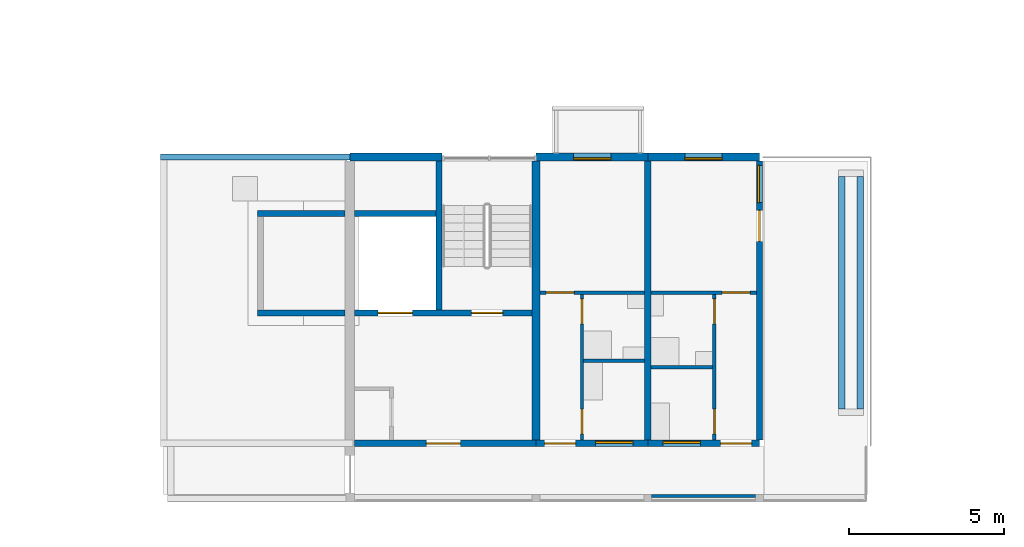
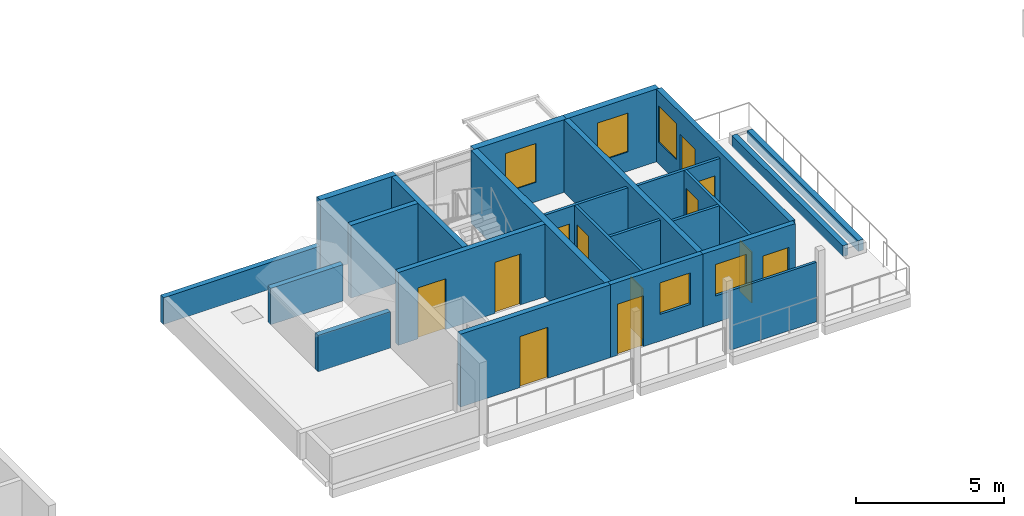
# One storey, part 19 of 41: 24 walls, 12 doors, 5 windows, 17 openings.
"""IFC4 building model written with IfcOpenShell, lengths in metres."""

from ifc_helpers import new_model, si_unit, direction, frame, frame_2d, origin, place, context, subcontext, project, spatial, rectangle, extrude, material, layer, layer_set, type_object, element, fill, save


model = new_model("IFC4")

# Units and contexts
model_context = context("Model", 3, precision=1e-05, world=origin(), true_north=direction((0.0, 1.0)))
body_context = subcontext(model_context, "Body", "Model", "MODEL_VIEW")
ifc_project = project(units=[si_unit("LENGTHUNIT", "METRE"), si_unit("AREAUNIT", "SQUARE_METRE"), si_unit("VOLUMEUNIT", "CUBIC_METRE"), si_unit("PLANEANGLEUNIT", "RADIAN"), si_unit("MASSUNIT", "GRAM", prefix="KILO")], contexts=[model_context])

# Site, building, storey
site_placement = place(None, origin())
site = spatial("IfcSite", under=ifc_project, at=site_placement, CompositionType="ELEMENT")
building_placement = place(site_placement, origin())
building = spatial("IfcBuilding", under=site, at=building_placement, Name="Ridgestep Commons", CompositionType="ELEMENT")
storey_placement = place(building_placement, frame((0.0, 0.0, 39.0)))
storey = spatial("IfcBuildingStorey", under=building, at=storey_placement, Name="L13", CompositionType="ELEMENT", Elevation=39.0)

# Wall
ifc_material_1 = material(Name="Concrete C30/37", Category="concrete")
ifc_layer_1 = layer(ifc_material_1, 0.25)
ifc_layer_set_1 = layer_set([ifc_layer_1], Name="Core cross wall 250")
wall_type_1 = type_object("IfcWallType", Name="Core cross wall 250", PredefinedType="SHEAR", material=ifc_layer_set_1)
wall_1_placement = place(storey_placement, frame((51.60009765625, 13.75, 0.0), z_axis=(0.0, 0.0, 1.0), x_axis=(0.0, 1.0, 0.0)))
element("IfcWall", 1, at=wall_1_placement, inside=storey, type_object=wall_type_1, Name="Cross wall A-13-0516", PredefinedType="SHEAR", context=body_context, shape_type="SweptSolid", body=[
    extrude(rectangle(XDim=9.0, YDim=0.25, at=frame_2d((4.5, 0.0))), origin(), (0.0, 0.0, 1.0), 3.0),
])

# Wall, opening, door
ifc_material_2 = material(Name="Concrete C30/37", Category="concrete")
ifc_layer_2 = layer(ifc_material_2, 0.199951171875)
ifc_layer_set_2 = layer_set([ifc_layer_2], Name="Core south wall 200")
wall_type_2 = type_object("IfcWallType", Name="Core south wall 200", PredefinedType="SHEAR", material=ifc_layer_set_2)
wall_2_placement = place(storey_placement, frame((45.75, 13.64990234375, 0.0), z_axis=(0.0, 0.0, 1.0), x_axis=(1.0, 0.0, 0.0)))
wall_2 = element("IfcWall", 2, at=wall_2_placement, inside=storey, type_object=wall_type_2, Name="Core south wall A3C L13", PredefinedType="SHEAR", context=body_context, shape_type="SweptSolid", body=[
    extrude(rectangle(XDim=5.85009765625, YDim=0.199951171875, at=frame_2d((2.925048828125, 0.0))), origin(), (0.0, 0.0, 1.0), 3.0),
])
opening_1_placement = place(wall_2_placement, frame((2.3125, 0.0, 0.0)))
opening_1 = element("IfcOpeningElement", 3, at=opening_1_placement, cuts=wall_2, Name="Opening A3C/13/1", PredefinedType="OPENING", context=body_context, shape_type="SweptSolid", body=[
    extrude(rectangle(XDim=1.10009765625, YDim=2.10009765625, at=frame_2d((0.550048828125, 1.050048828125))), frame((0.0, 0.10986328125, 0.0), z_axis=(0.0, -1.0, 0.0), x_axis=(1.0, 0.0, 0.0)), (0.0, 0.0, 1.0), 0.219970703125),
])
ifc_material_3 = material(Name="Steel fire door", Category="steel")
door_type_1 = type_object("IfcDoorType", Name="Lobby door 1100 x 2100 FD60", OperationType="NOTDEFINED", PredefinedType="DOOR", material=ifc_material_3)
door_1_placement = place(opening_1_placement, origin())
door_1 = element("IfcDoor", 4, at=door_1_placement, inside=storey, type_object=door_type_1, Name="Lobby door A3C/13/1", OperationType="SINGLE_SWING_LEFT", OverallHeight=2.10009765625, OverallWidth=1.10009765625, PredefinedType="DOOR", context=body_context, shape_type="SweptSolid", body=[
    extrude(rectangle(XDim=1.10009765625, YDim=2.10009765625, at=frame_2d((0.550048828125, 1.050048828125))), frame((0.0, 0.02490234375, 0.0), z_axis=(0.0, -1.0, 0.0), x_axis=(1.0, 0.0, 0.0)), (0.0, 0.0, 1.0), 0.050048828125),
])
fill(opening_1, door_1)

# Wall, openings, doors
ifc_material_4 = material(Name="Concrete C30/37", Category="concrete")
ifc_layer_3 = layer(ifc_material_4, 0.199951171875)
ifc_layer_set_3 = layer_set([ifc_layer_3], Name="Core wall 200")
wall_type_3 = type_object("IfcWallType", Name="Core wall 200", PredefinedType="SHEAR", material=ifc_layer_set_3)
wall_3_placement = place(storey_placement, frame((45.75, 17.85009765625, 0.0), z_axis=(0.0, 0.0, 1.0), x_axis=(1.0, 0.0, 0.0)))
wall_3 = element("IfcWall", 5, at=wall_3_placement, inside=storey, type_object=wall_type_3, Name="Core lobby wall A3C L13", PredefinedType="SHEAR", context=body_context, shape_type="SweptSolid", body=[
    extrude(rectangle(XDim=5.72509765625, YDim=0.199951171875, at=frame_2d((2.862548828125, 0.0))), origin(), (0.0, 0.0, 1.0), 3.0),
])
opening_2_placement = place(wall_3_placement, frame((3.77490234375, 0.0, 0.0)))
opening_2 = element("IfcOpeningElement", 6, at=opening_2_placement, cuts=wall_3, Name="Opening A3C/13/2", PredefinedType="OPENING", context=body_context, shape_type="SweptSolid", body=[
    extrude(rectangle(XDim=1.0, YDim=2.10009765625, at=frame_2d((0.5, 1.050048828125))), frame((0.0, 0.10986328125, 0.0), z_axis=(0.0, -1.0, 0.0), x_axis=(1.0, 0.0, 0.0)), (0.0, 0.0, 1.0), 0.219970703125),
])
opening_3_placement = place(wall_3_placement, frame((0.762451171875, 0.0, 0.0)))
opening_3 = element("IfcOpeningElement", 7, at=opening_3_placement, cuts=wall_3, Name="Opening A3C/13/3", PredefinedType="OPENING", context=body_context, shape_type="SweptSolid", body=[
    extrude(rectangle(XDim=1.10009765625, YDim=2.10009765625, at=frame_2d((0.550048828125, 1.050048828125))), frame((0.0, 0.10986328125, 0.0), z_axis=(0.0, -1.0, 0.0), x_axis=(1.0, 0.0, 0.0)), (0.0, 0.0, 1.0), 0.219970703125),
])
ifc_material_5 = material(Name="Stainless steel", Category="steel")
door_type_2 = type_object("IfcDoorType", Name="Lift landing door 1100 x 2100 FD60", OperationType="DOUBLE_DOOR_SLIDING", PredefinedType="DOOR", material=ifc_material_5)
door_2_placement = place(opening_3_placement, origin())
door_2 = element("IfcDoor", 8, at=door_2_placement, inside=storey, type_object=door_type_2, Name="Landing door LD A3C L13", OperationType="DOUBLE_DOOR_SLIDING", OverallHeight=2.10009765625, OverallWidth=1.10009765625, PredefinedType="DOOR", context=body_context, shape_type="SweptSolid", body=[
    extrude(rectangle(XDim=1.10009765625, YDim=2.10009765625, at=frame_2d((0.550048828125, 1.050048828125))), frame((0.0, 0.02490234375, 0.0), z_axis=(0.0, -1.0, 0.0), x_axis=(1.0, 0.0, 0.0)), (0.0, 0.0, 1.0), 0.050048828125),
])
fill(opening_3, door_2)
ifc_material_6 = material(Name="Steel fire door", Category="steel")
door_type_3 = type_object("IfcDoorType", Name="Stair door 1000 x 2100 FD60", OperationType="NOTDEFINED", PredefinedType="DOOR", material=ifc_material_6)
door_3_placement = place(opening_2_placement, origin())
door_3 = element("IfcDoor", 9, at=door_3_placement, inside=storey, type_object=door_type_3, Name="Stair door A3C/13/2", OperationType="SINGLE_SWING_RIGHT", OverallHeight=2.10009765625, OverallWidth=1.0, PredefinedType="DOOR", context=body_context, shape_type="SweptSolid", body=[
    extrude(rectangle(XDim=1.0, YDim=2.10009765625, at=frame_2d((0.5, 1.050048828125))), frame((0.0, 0.02490234375, 0.0), z_axis=(0.0, -1.0, 0.0), x_axis=(1.0, 0.0, 0.0)), (0.0, 0.0, 1.0), 0.050048828125),
])
fill(opening_2, door_3)

# Walls
wall_4_placement = place(storey_placement, frame((48.47509765625, 17.949951171875, 0.0), z_axis=(0.0, 0.0, 1.0), x_axis=(0.0, 1.0, 0.0)))
element("IfcWall", 10, at=wall_4_placement, inside=storey, type_object=wall_type_3, Name="Core stair wall A3C L13", PredefinedType="SHEAR", context=body_context, shape_type="SweptSolid", body=[
    extrude(rectangle(XDim=4.800048828125, YDim=0.199951171875, at=frame_2d((2.39990234375, 0.0))), origin(), (0.0, 0.0, 1.0), 3.0),
])
wall_5_placement = place(storey_placement, frame((45.75, 21.050048828125, 0.0), z_axis=(0.0, 0.0, 1.0), x_axis=(1.0, 0.0, 0.0)))
element("IfcWall", 11, at=wall_5_placement, inside=storey, type_object=wall_type_3, Name="Core duct wall A3C L13", PredefinedType="SHEAR", context=body_context, shape_type="SweptSolid", body=[
    extrude(rectangle(XDim=2.625, YDim=0.199951171875, at=frame_2d((1.3125, 0.0))), origin(), (0.0, 0.0, 1.0), 3.0),
])
ifc_material_7 = material(Name="Precast concrete C40/50", Category="concrete")
ifc_layer_4 = layer(ifc_material_7, 0.199951171875)
ifc_layer_set_4 = layer_set([ifc_layer_4], Name="Cross wall 200")
wall_type_4 = type_object("IfcWallType", Name="Cross wall 200", PredefinedType="SHEAR", material=ifc_layer_set_4)
wall_6_placement = place(storey_placement, frame((55.199951171875, 13.75, 0.0), z_axis=(0.0, 0.0, 1.0), x_axis=(0.0, 1.0, 0.0)))
element("IfcWall", 12, at=wall_6_placement, inside=storey, type_object=wall_type_4, Name="Cross wall A-13-0552", PredefinedType="SHEAR", context=body_context, shape_type="SweptSolid", body=[
    extrude(rectangle(XDim=9.0, YDim=0.199951171875, at=frame_2d((4.5, 0.0))), origin(), (0.0, 0.0, 1.0), 3.0),
])

# Wall, openings, window, door
ifc_material_8 = material(Name="Precast concrete C40/50", Category="concrete")
ifc_layer_5 = layer(ifc_material_8, 0.199951171875)
ifc_layer_set_5 = layer_set([ifc_layer_5], Name="Exposed cross wall 200")
wall_type_5 = type_object("IfcWallType", Name="Exposed cross wall 200", PredefinedType="SHEAR", material=ifc_layer_set_5)
wall_7_placement = place(storey_placement, frame((58.800048828125, 13.75, 0.0), z_axis=(0.0, 0.0, 1.0), x_axis=(0.0, 1.0, 0.0)))
wall_7 = element("IfcWall", 13, at=wall_7_placement, inside=storey, type_object=wall_type_5, Name="Cross wall A-13-0588", PredefinedType="SHEAR", context=body_context, shape_type="SweptSolid", body=[
    extrude(rectangle(XDim=9.0, YDim=0.199951171875, at=frame_2d((4.5, 0.0))), origin(), (0.0, 0.0, 1.0), 3.0),
])
opening_4_placement = place(wall_7_placement, frame((7.652587890625, 0.0, 0.89990234375)))
opening_4 = element("IfcOpeningElement", 14, at=opening_4_placement, cuts=wall_7, Name="Opening W10", PredefinedType="OPENING", context=body_context, shape_type="SweptSolid", body=[
    extrude(rectangle(XDim=1.199951171875, YDim=1.5, at=frame_2d((0.60009765625, 0.75))), frame((0.0, 0.10986328125, 0.0), z_axis=(0.0, -1.0, 0.0), x_axis=(1.0, 0.0, 0.0)), (0.0, 0.0, 1.0), 0.219970703125),
])
opening_5_placement = place(wall_7_placement, frame((6.405029296875, 0.0, 0.0)))
opening_5 = element("IfcOpeningElement", 15, at=opening_5_placement, cuts=wall_7, Name="Opening A3-13a/5", PredefinedType="OPENING", context=body_context, shape_type="SweptSolid", body=[
    extrude(rectangle(XDim=1.0, YDim=2.10009765625, at=frame_2d((0.5, 1.050048828125))), frame((0.0, 0.10986328125, 0.0), z_axis=(0.0, -1.0, 0.0), x_axis=(1.0, 0.0, 0.0)), (0.0, 0.0, 1.0), 0.219970703125),
])
ifc_material_9 = material(Name="Aluminium 6063-T6 and glass", Category="aluminium")
window_type_1 = type_object("IfcWindowType", Name="Flat window 1200 x 1500", PartitioningType="SINGLE_PANEL", PredefinedType="WINDOW", material=ifc_material_9)
window_1_placement = place(opening_4_placement, origin())
window_1 = element("IfcWindow", 16, at=window_1_placement, inside=storey, type_object=window_type_1, Name="Window A3-13a 3", OverallHeight=1.5, OverallWidth=1.199951171875, PartitioningType="SINGLE_PANEL", PredefinedType="WINDOW", context=body_context, shape_type="SweptSolid", body=[
    extrude(rectangle(XDim=1.199951171875, YDim=1.5, at=frame_2d((0.60009765625, 0.75))), frame((0.0, 0.06005859375, 0.0), z_axis=(0.0, -1.0, 0.0), x_axis=(1.0, 0.0, 0.0)), (0.0, 0.0, 1.0), 0.06005859375),
])
fill(opening_4, window_1)
ifc_material_10 = material(Name="Aluminium and glass", Category="aluminium")
door_type_4 = type_object("IfcDoorType", Name="Terrace door 1000 x 2100", OperationType="NOTDEFINED", PredefinedType="DOOR", material=ifc_material_10)
door_4_placement = place(opening_5_placement, origin())
door_4 = element("IfcDoor", 17, at=door_4_placement, inside=storey, type_object=door_type_4, Name="Terrace door A3-13a/5", OperationType="SINGLE_SWING_LEFT", OverallHeight=2.10009765625, OverallWidth=1.0, PredefinedType="DOOR", context=body_context, shape_type="SweptSolid", body=[
    extrude(rectangle(XDim=1.0, YDim=2.10009765625, at=frame_2d((0.5, 1.050048828125))), frame((0.0, 0.02490234375, 0.0), z_axis=(0.0, -1.0, 0.0), x_axis=(1.0, 0.0, 0.0)), (0.0, 0.0, 1.0), 0.050048828125),
])
fill(opening_5, door_4)

# Walls
ifc_material_11 = material(Name="Concrete C30/37", Category="concrete")
ifc_layer_6 = layer(ifc_material_11, 0.199951171875)
ifc_layer_set_6 = layer_set([ifc_layer_6], Name="Lift overrun wall 200")
wall_type_6 = type_object("IfcWallType", Name="Lift overrun wall 200", PredefinedType="SHEAR", material=ifc_layer_set_6)
for number, where, z_axis, x_axis, name in (
    (18, (42.625, 17.85009765625, 0.0), (0.0, 0.0, 1.0), (1.0, 0.0, 0.0), "Lift overrun wall A2C"),
    (19, (42.625, 21.050048828125, 0.0), (0.0, 0.0, 1.0), (1.0, 0.0, 0.0), "Lift overrun wall A2C"),
):
    element("IfcWall", number, at=place(storey_placement, frame(where, z_axis=z_axis, x_axis=x_axis)), inside=storey, type_object=wall_type_6, Name=name, PredefinedType="SHEAR", context=body_context, shape_type="SweptSolid", body=[
        extrude(rectangle(XDim=2.824951171875, YDim=0.199951171875, at=frame_2d((1.41259765625, 0.0))), origin(), (0.0, 0.0, 1.0), 1.5),
    ])
ifc_material_12 = material(Name="Precast concrete C40/50", Category="concrete")
ifc_layer_7 = layer(ifc_material_12, 0.25)
ifc_layer_set_7 = layer_set([ifc_layer_7], Name="North facade panel 250")
wall_type_7 = type_object("IfcWallType", Name="North facade panel 250", PredefinedType="SOLIDWALL", material=ifc_layer_set_7)
wall_8_placement = place(storey_placement, frame((45.60009765625, 22.875, 0.0), z_axis=(0.0, 0.0, 1.0), x_axis=(1.0, 0.0, 0.0)))
element("IfcWall", 20, at=wall_8_placement, inside=storey, type_object=wall_type_7, Name="North panel A3C L13", PredefinedType="SOLIDWALL", context=body_context, shape_type="SweptSolid", body=[
    extrude(rectangle(XDim=2.974853515625, YDim=0.25, at=frame_2d((1.4873046875, 0.0))), origin(), (0.0, 0.0, 1.0), 3.0),
])

# Wall, opening, window
wall_9_placement = place(storey_placement, frame((51.60009765625, 22.875, 0.0), z_axis=(0.0, 0.0, 1.0), x_axis=(1.0, 0.0, 0.0)))
wall_9 = element("IfcWall", 21, at=wall_9_placement, inside=storey, type_object=wall_type_7, Name="North panel A3T3 L13", PredefinedType="SOLIDWALL", context=body_context, shape_type="SweptSolid", body=[
    extrude(rectangle(XDim=3.599853515625, YDim=0.25, at=frame_2d((1.7998046875, 0.0))), origin(), (0.0, 0.0, 1.0), 3.0),
])
opening_6_placement = place(wall_9_placement, frame((1.21240234375, 0.0, 0.800048828125)))
opening_6 = element("IfcOpeningElement", 22, at=opening_6_placement, cuts=wall_9, Name="Opening W11", PredefinedType="OPENING", context=body_context, shape_type="SweptSolid", body=[
    extrude(rectangle(XDim=1.199951171875, YDim=1.60009765625, at=frame_2d((0.60009765625, 0.800048828125))), frame((0.0, 0.135009765625, 0.0), z_axis=(0.0, -1.0, 0.0), x_axis=(1.0, 0.0, 0.0)), (0.0, 0.0, 1.0), 0.27001953125),
])
ifc_material_13 = material(Name="Aluminium 6063-T6 and glass", Category="aluminium")
window_type_2 = type_object("IfcWindowType", Name="Flat window 1200 x 1600", PartitioningType="SINGLE_PANEL", PredefinedType="WINDOW", material=ifc_material_13)
window_2_placement = place(opening_6_placement, origin())
window_2 = element("IfcWindow", 23, at=window_2_placement, inside=storey, type_object=window_type_2, Name="Window A3-13b 2", OverallHeight=1.60009765625, OverallWidth=1.199951171875, PartitioningType="SINGLE_PANEL", PredefinedType="WINDOW", context=body_context, shape_type="SweptSolid", body=[
    extrude(rectangle(XDim=1.199951171875, YDim=1.60009765625, at=frame_2d((0.60009765625, 0.800048828125))), frame((0.0, -0.02490234375, 0.0), z_axis=(0.0, -1.0, 0.0), x_axis=(1.0, 0.0, 0.0)), (0.0, 0.0, 1.0), 0.06005859375),
])
fill(opening_6, window_2)

wall_10_placement = place(storey_placement, frame((55.199951171875, 22.875, 0.0), z_axis=(0.0, 0.0, 1.0), x_axis=(1.0, 0.0, 0.0)))
wall_10 = element("IfcWall", 24, at=wall_10_placement, inside=storey, type_object=wall_type_7, Name="North panel A3T2 L13", PredefinedType="SOLIDWALL", context=body_context, shape_type="SweptSolid", body=[
    extrude(rectangle(XDim=3.60009765625, YDim=0.25, at=frame_2d((1.800048828125, 0.0))), origin(), (0.0, 0.0, 1.0), 3.0),
])
opening_7_placement = place(wall_10_placement, frame((1.199951171875, 0.0, 0.800048828125)))
opening_7 = element("IfcOpeningElement", 25, at=opening_7_placement, cuts=wall_10, Name="Opening W11", PredefinedType="OPENING", context=body_context, shape_type="SweptSolid", body=[
    extrude(rectangle(XDim=1.199951171875, YDim=1.60009765625, at=frame_2d((0.60009765625, 0.800048828125))), frame((0.0, 0.135009765625, 0.0), z_axis=(0.0, -1.0, 0.0), x_axis=(1.0, 0.0, 0.0)), (0.0, 0.0, 1.0), 0.27001953125),
])
window_3_placement = place(opening_7_placement, origin())
window_3 = element("IfcWindow", 26, at=window_3_placement, inside=storey, type_object=window_type_2, Name="Window A3-13a 2", OverallHeight=1.60009765625, OverallWidth=1.199951171875, PartitioningType="SINGLE_PANEL", PredefinedType="WINDOW", context=body_context, shape_type="SweptSolid", body=[
    extrude(rectangle(XDim=1.199951171875, YDim=1.60009765625, at=frame_2d((0.60009765625, 0.800048828125))), frame((0.0, -0.02490234375, 0.0), z_axis=(0.0, -1.0, 0.0), x_axis=(1.0, 0.0, 0.0)), (0.0, 0.0, 1.0), 0.06005859375),
])
fill(opening_7, window_3)

# Walls
ifc_material_14 = material(Name="Precast concrete C40/50", Category="concrete")
ifc_layer_8 = layer(ifc_material_14, 0.199951171875)
ifc_layer_set_8 = layer_set([ifc_layer_8], Name="Parapet wall 200")
wall_type_8 = type_object("IfcWallType", Name="Parapet wall 200", PredefinedType="PARAPET", material=ifc_layer_set_8)
wall_11_placement = place(storey_placement, frame((39.5, 22.875, 0.0), z_axis=(0.0, 0.0, 1.0), x_axis=(1.0, 0.0, 0.0)))
element("IfcWall", 27, at=wall_11_placement, inside=storey, type_object=wall_type_8, Name="Parapet A2C north", PredefinedType="PARAPET", context=body_context, shape_type="SweptSolid", body=[
    extrude(rectangle(XDim=6.199951171875, YDim=0.199951171875, at=frame_2d((3.10009765625, 0.0))), origin(), (0.0, 0.0, 1.0), 1.10009765625),
])
ifc_material_15 = material(Name="Common brick 110 mm", Category="masonry")
ifc_layer_9 = layer(ifc_material_15, 0.110107421875)
ifc_layer_set_9 = layer_set([ifc_layer_9], Name="Partition 110")
wall_type_9 = type_object("IfcWallType", Name="Partition 110", PredefinedType="PARTITIONING", material=ifc_layer_set_9)
wall_12_placement = place(storey_placement, frame((55.300048828125, 16.10498046875, 0.0), z_axis=(0.0, 0.0, 1.0), x_axis=(1.0, 0.0, 0.0)))
element("IfcWall", 28, at=wall_12_placement, inside=storey, type_object=wall_type_9, Name="Partition A3-13a", PredefinedType="PARTITIONING", context=body_context, shape_type="SweptSolid", body=[
    extrude(rectangle(XDim=1.989990234375, YDim=0.110107421875, at=frame_2d((0.9951171875, 0.0))), origin(), (0.0, 0.0, 1.0), 2.75),
])

# Wall, openings, doors
wall_13_placement = place(storey_placement, frame((57.344970703125, 13.75, 0.0), z_axis=(0.0, 0.0, 1.0), x_axis=(0.0, 1.0, 0.0)))
wall_13 = element("IfcWall", 29, at=wall_13_placement, inside=storey, type_object=wall_type_9, Name="Partition A3-13a", PredefinedType="PARTITIONING", context=body_context, shape_type="SweptSolid", body=[
    extrude(rectangle(XDim=4.699951171875, YDim=0.110107421875, at=frame_2d((2.35009765625, 0.0))), origin(), (0.0, 0.0, 1.0), 2.75),
])
opening_8_placement = place(wall_13_placement, frame((0.199951171875, 0.0, 0.0)))
opening_8 = element("IfcOpeningElement", 30, at=opening_8_placement, cuts=wall_13, Name="Opening A3-13a/2", PredefinedType="OPENING", context=body_context, shape_type="SweptSolid", body=[
    extrude(rectangle(XDim=0.800048828125, YDim=2.10009765625, at=frame_2d((0.39990234375, 1.050048828125))), frame((0.0, 0.06494140625, 0.0), z_axis=(0.0, -1.0, 0.0), x_axis=(1.0, 0.0, 0.0)), (0.0, 0.0, 1.0), 0.130126953125),
])
opening_9_placement = place(wall_13_placement, frame((3.75, 0.0, 0.0)))
opening_9 = element("IfcOpeningElement", 31, at=opening_9_placement, cuts=wall_13, Name="Opening A3-13a/3", PredefinedType="OPENING", context=body_context, shape_type="SweptSolid", body=[
    extrude(rectangle(XDim=0.800048828125, YDim=2.10009765625, at=frame_2d((0.39990234375, 1.050048828125))), frame((0.0, 0.06494140625, 0.0), z_axis=(0.0, -1.0, 0.0), x_axis=(1.0, 0.0, 0.0)), (0.0, 0.0, 1.0), 0.130126953125),
])
ifc_material_16 = material(Name="Timber door leaf", Category="wood")
door_type_5 = type_object("IfcDoorType", Name="Internal door 800 x 2100", OperationType="NOTDEFINED", PredefinedType="DOOR", material=ifc_material_16)
door_5_placement = place(opening_8_placement, origin())
door_5 = element("IfcDoor", 32, at=door_5_placement, inside=storey, type_object=door_type_5, Name="Internal door A3-13a/2", OperationType="SINGLE_SWING_LEFT", OverallHeight=2.10009765625, OverallWidth=0.800048828125, PredefinedType="DOOR", context=body_context, shape_type="SweptSolid", body=[
    extrude(rectangle(XDim=0.800048828125, YDim=2.10009765625, at=frame_2d((0.39990234375, 1.050048828125))), frame((0.0, 0.02490234375, 0.0), z_axis=(0.0, -1.0, 0.0), x_axis=(1.0, 0.0, 0.0)), (0.0, 0.0, 1.0), 0.050048828125),
])
fill(opening_8, door_5)
door_6_placement = place(opening_9_placement, origin())
door_6 = element("IfcDoor", 33, at=door_6_placement, inside=storey, type_object=door_type_5, Name="Internal door A3-13a/3", OperationType="SINGLE_SWING_RIGHT", OverallHeight=2.10009765625, OverallWidth=0.800048828125, PredefinedType="DOOR", context=body_context, shape_type="SweptSolid", body=[
    extrude(rectangle(XDim=0.800048828125, YDim=2.10009765625, at=frame_2d((0.39990234375, 1.050048828125))), frame((0.0, 0.02490234375, 0.0), z_axis=(0.0, -1.0, 0.0), x_axis=(1.0, 0.0, 0.0)), (0.0, 0.0, 1.0), 0.050048828125),
])
fill(opening_9, door_6)

# Wall, opening, door
wall_14_placement = place(storey_placement, frame((55.300048828125, 18.5048828125, 0.0), z_axis=(0.0, 0.0, 1.0), x_axis=(1.0, 0.0, 0.0)))
wall_14 = element("IfcWall", 34, at=wall_14_placement, inside=storey, type_object=wall_type_9, Name="Partition A3-13a", PredefinedType="PARTITIONING", context=body_context, shape_type="SweptSolid", body=[
    extrude(rectangle(XDim=3.39990234375, YDim=0.110107421875, at=frame_2d((1.699951171875, 0.0))), origin(), (0.0, 0.0, 1.0), 2.75),
])
opening_10_placement = place(wall_14_placement, frame((2.300048828125, 0.0, 0.0)))
opening_10 = element("IfcOpeningElement", 35, at=opening_10_placement, cuts=wall_14, Name="Opening A3-13a/4", PredefinedType="OPENING", context=body_context, shape_type="SweptSolid", body=[
    extrude(rectangle(XDim=0.89990234375, YDim=2.10009765625, at=frame_2d((0.449951171875, 1.050048828125))), frame((0.0, 0.06494140625, 0.0), z_axis=(0.0, -1.0, 0.0), x_axis=(1.0, 0.0, 0.0)), (0.0, 0.0, 1.0), 0.130126953125),
])
ifc_material_17 = material(Name="Timber door leaf", Category="wood")
door_type_6 = type_object("IfcDoorType", Name="Internal door 900 x 2100", OperationType="NOTDEFINED", PredefinedType="DOOR", material=ifc_material_17)
door_7_placement = place(opening_10_placement, origin())
door_7 = element("IfcDoor", 36, at=door_7_placement, inside=storey, type_object=door_type_6, Name="Internal door A3-13a/4", OperationType="SINGLE_SWING_LEFT", OverallHeight=2.10009765625, OverallWidth=0.89990234375, PredefinedType="DOOR", context=body_context, shape_type="SweptSolid", body=[
    extrude(rectangle(XDim=0.89990234375, YDim=2.10009765625, at=frame_2d((0.449951171875, 1.050048828125))), frame((0.0, 0.02490234375, 0.0), z_axis=(0.0, -1.0, 0.0), x_axis=(1.0, 0.0, 0.0)), (0.0, 0.0, 1.0), 0.050048828125),
])
fill(opening_10, door_7)

# Wall, openings, doors
wall_15_placement = place(storey_placement, frame((53.080078125, 13.75, 0.0), z_axis=(0.0, 0.0, 1.0), x_axis=(0.0, 1.0, 0.0)))
wall_15 = element("IfcWall", 37, at=wall_15_placement, inside=storey, type_object=wall_type_9, Name="Partition A3-13b", PredefinedType="PARTITIONING", context=body_context, shape_type="SweptSolid", body=[
    extrude(rectangle(XDim=4.699951171875, YDim=0.110107421875, at=frame_2d((2.35009765625, 0.0))), origin(), (0.0, 0.0, 1.0), 2.800048828125),
])
opening_11_placement = place(wall_15_placement, frame((0.199951171875, 0.0, 0.0)))
opening_11 = element("IfcOpeningElement", 38, at=opening_11_placement, cuts=wall_15, Name="Opening A3-13b/2", PredefinedType="OPENING", context=body_context, shape_type="SweptSolid", body=[
    extrude(rectangle(XDim=0.800048828125, YDim=2.10009765625, at=frame_2d((0.39990234375, 1.050048828125))), frame((0.0, 0.06494140625, 0.0), z_axis=(0.0, -1.0, 0.0), x_axis=(1.0, 0.0, 0.0)), (0.0, 0.0, 1.0), 0.130126953125),
])
opening_12_placement = place(wall_15_placement, frame((3.75, 0.0, 0.0)))
opening_12 = element("IfcOpeningElement", 39, at=opening_12_placement, cuts=wall_15, Name="Opening A3-13b/3", PredefinedType="OPENING", context=body_context, shape_type="SweptSolid", body=[
    extrude(rectangle(XDim=0.800048828125, YDim=2.10009765625, at=frame_2d((0.39990234375, 1.050048828125))), frame((0.0, 0.06494140625, 0.0), z_axis=(0.0, -1.0, 0.0), x_axis=(1.0, 0.0, 0.0)), (0.0, 0.0, 1.0), 0.130126953125),
])
door_8_placement = place(opening_11_placement, origin())
door_8 = element("IfcDoor", 40, at=door_8_placement, inside=storey, type_object=door_type_5, Name="Internal door A3-13b/2", OperationType="SINGLE_SWING_RIGHT", OverallHeight=2.10009765625, OverallWidth=0.800048828125, PredefinedType="DOOR", context=body_context, shape_type="SweptSolid", body=[
    extrude(rectangle(XDim=0.800048828125, YDim=2.10009765625, at=frame_2d((0.39990234375, 1.050048828125))), frame((0.0, 0.02490234375, 0.0), z_axis=(0.0, -1.0, 0.0), x_axis=(1.0, 0.0, 0.0)), (0.0, 0.0, 1.0), 0.050048828125),
])
fill(opening_11, door_8)
door_9_placement = place(opening_12_placement, origin())
door_9 = element("IfcDoor", 41, at=door_9_placement, inside=storey, type_object=door_type_5, Name="Internal door A3-13b/3", OperationType="SINGLE_SWING_LEFT", OverallHeight=2.10009765625, OverallWidth=0.800048828125, PredefinedType="DOOR", context=body_context, shape_type="SweptSolid", body=[
    extrude(rectangle(XDim=0.800048828125, YDim=2.10009765625, at=frame_2d((0.39990234375, 1.050048828125))), frame((0.0, 0.02490234375, 0.0), z_axis=(0.0, -1.0, 0.0), x_axis=(1.0, 0.0, 0.0)), (0.0, 0.0, 1.0), 0.050048828125),
])
fill(opening_12, door_9)

# Wall
wall_16_placement = place(storey_placement, frame((53.135009765625, 16.304931640625, 0.0), z_axis=(0.0, 0.0, 1.0), x_axis=(1.0, 0.0, 0.0)))
element("IfcWall", 42, at=wall_16_placement, inside=storey, type_object=wall_type_9, Name="Partition A3-13b", PredefinedType="PARTITIONING", context=body_context, shape_type="SweptSolid", body=[
    extrude(rectangle(XDim=1.965087890625, YDim=0.110107421875, at=frame_2d((0.982421875, 0.0))), origin(), (0.0, 0.0, 1.0), 2.800048828125),
])

# Wall, opening, door
wall_17_placement = place(storey_placement, frame((51.72509765625, 18.5048828125, 0.0), z_axis=(0.0, 0.0, 1.0), x_axis=(1.0, 0.0, 0.0)))
wall_17 = element("IfcWall", 43, at=wall_17_placement, inside=storey, type_object=wall_type_9, Name="Partition A3-13b", PredefinedType="PARTITIONING", context=body_context, shape_type="SweptSolid", body=[
    extrude(rectangle(XDim=3.375, YDim=0.110107421875, at=frame_2d((1.6875, 0.0))), origin(), (0.0, 0.0, 1.0), 2.800048828125),
])
opening_13_placement = place(wall_17_placement, frame((0.199951171875, 0.0, 0.0)))
opening_13 = element("IfcOpeningElement", 44, at=opening_13_placement, cuts=wall_17, Name="Opening A3-13b/4", PredefinedType="OPENING", context=body_context, shape_type="SweptSolid", body=[
    extrude(rectangle(XDim=0.89990234375, YDim=2.10009765625, at=frame_2d((0.449951171875, 1.050048828125))), frame((0.0, 0.06494140625, 0.0), z_axis=(0.0, -1.0, 0.0), x_axis=(1.0, 0.0, 0.0)), (0.0, 0.0, 1.0), 0.130126953125),
])
door_10_placement = place(opening_13_placement, origin())
door_10 = element("IfcDoor", 45, at=door_10_placement, inside=storey, type_object=door_type_6, Name="Internal door A3-13b/4", OperationType="SINGLE_SWING_LEFT", OverallHeight=2.10009765625, OverallWidth=0.89990234375, PredefinedType="DOOR", context=body_context, shape_type="SweptSolid", body=[
    extrude(rectangle(XDim=0.89990234375, YDim=2.10009765625, at=frame_2d((0.449951171875, 1.050048828125))), frame((0.0, 0.02490234375, 0.0), z_axis=(0.0, -1.0, 0.0), x_axis=(1.0, 0.0, 0.0)), (0.0, 0.0, 1.0), 0.050048828125),
])
fill(opening_13, door_10)

# Walls
ifc_material_18 = material(Name="Precast concrete C30/37", Category="concrete")
ifc_layer_10 = layer(ifc_material_18, 0.10009765625)
ifc_layer_set_10 = layer_set([ifc_layer_10], Name="Perforated gallery screen 3350 x 2450 x 100")
wall_type_10 = type_object("IfcWallType", Name="Perforated gallery screen 3350 x 2450 x 100", PredefinedType="SOLIDWALL", material=ifc_layer_set_10)
wall_18_placement = place(storey_placement, frame((55.324951171875, 11.949951171875, 0.0), z_axis=(0.0, 0.0, 1.0), x_axis=(1.0, 0.0, 0.0)))
element("IfcWall", 46, at=wall_18_placement, inside=storey, type_object=wall_type_10, Name="Gallery screen A3T2 13", PredefinedType="SOLIDWALL", context=body_context, shape_type="SweptSolid", body=[
    extrude(rectangle(XDim=3.35009765625, YDim=0.10009765625, at=frame_2d((1.675048828125, 0.0))), origin(), (0.0, 0.0, 1.0), 2.449951171875),
])
ifc_material_19 = material(Name="Facing brick", Category="masonry")
ifc_layer_11 = layer(ifc_material_19, 0.199951171875)
ifc_layer_set_11 = layer_set([ifc_layer_11], Name="Planter wall 200")
wall_type_11 = type_object("IfcWallType", Name="Planter wall 200", PredefinedType="SOLIDWALL", material=ifc_layer_set_11)
for number, where, z_axis, x_axis, name in (
    (47, (61.449951171875, 14.75, 0.010009765625), (0.0, 0.0, 1.0), (0.0, 1.0, 0.0), "Planter wall A3R1W"),
    (48, (62.050048828125, 14.75, 0.010009765625), (0.0, 0.0, 1.0), (0.0, 1.0, 0.0), "Planter wall A3R1E"),
):
    element("IfcWall", number, at=place(storey_placement, frame(where, z_axis=z_axis, x_axis=x_axis)), inside=storey, type_object=wall_type_11, Name=name, PredefinedType="SOLIDWALL", context=body_context, shape_type="SweptSolid", body=[
        extrude(rectangle(XDim=7.5, YDim=0.199951171875, at=frame_2d((3.75, 0.0))), origin(), (0.0, 0.0, 1.0), 0.449951171875),
    ])

# Wall, openings, door, window
ifc_material_20 = material(Name="Precast concrete C40/50", Category="concrete")
ifc_layer_12 = layer(ifc_material_20, 0.199951171875)
ifc_layer_set_12 = layer_set([ifc_layer_12], Name="South facade panel 200")
wall_type_12 = type_object("IfcWallType", Name="South facade panel 200", PredefinedType="SOLIDWALL", material=ifc_layer_set_12)
wall_19_placement = place(storey_placement, frame((51.60009765625, 13.64990234375, 0.0), z_axis=(0.0, 0.0, 1.0), x_axis=(1.0, 0.0, 0.0)))
wall_19 = element("IfcWall", 49, at=wall_19_placement, inside=storey, type_object=wall_type_12, Name="South panel A3T3 L13", PredefinedType="SOLIDWALL", context=body_context, shape_type="SweptSolid", body=[
    extrude(rectangle(XDim=3.599853515625, YDim=0.199951171875, at=frame_2d((1.7998046875, 0.0))), origin(), (0.0, 0.0, 1.0), 3.0),
])
opening_14_placement = place(wall_19_placement, frame((1.91748046875, 0.0, 1.10009765625)))
opening_14 = element("IfcOpeningElement", 50, at=opening_14_placement, cuts=wall_19, Name="Opening W08", PredefinedType="OPENING", context=body_context, shape_type="SweptSolid", body=[
    extrude(rectangle(XDim=1.199951171875, YDim=1.300048828125, at=frame_2d((0.60009765625, 0.64990234375))), frame((0.0, 0.10986328125, 0.0), z_axis=(0.0, -1.0, 0.0), x_axis=(1.0, 0.0, 0.0)), (0.0, 0.0, 1.0), 0.219970703125),
])
opening_15_placement = place(wall_19_placement, frame((0.27490234375, 0.0, 0.0)))
opening_15 = element("IfcOpeningElement", 51, at=opening_15_placement, cuts=wall_19, Name="Opening A3-13b/1", PredefinedType="OPENING", context=body_context, shape_type="SweptSolid", body=[
    extrude(rectangle(XDim=1.0, YDim=2.10009765625, at=frame_2d((0.5, 1.050048828125))), frame((0.0, 0.10986328125, 0.0), z_axis=(0.0, -1.0, 0.0), x_axis=(1.0, 0.0, 0.0)), (0.0, 0.0, 1.0), 0.219970703125),
])
ifc_material_21 = material(Name="Timber door leaf", Category="wood")
door_type_7 = type_object("IfcDoorType", Name="Flat entrance door 1000 x 2100 FD30S", OperationType="NOTDEFINED", PredefinedType="DOOR", material=ifc_material_21)
door_11_placement = place(opening_15_placement, origin())
door_11 = element("IfcDoor", 52, at=door_11_placement, inside=storey, type_object=door_type_7, Name="Flat entrance door A3-13b/1", OperationType="SINGLE_SWING_LEFT", OverallHeight=2.10009765625, OverallWidth=1.0, PredefinedType="DOOR", context=body_context, shape_type="SweptSolid", body=[
    extrude(rectangle(XDim=1.0, YDim=2.10009765625, at=frame_2d((0.5, 1.050048828125))), frame((0.0, 0.02490234375, 0.0), z_axis=(0.0, -1.0, 0.0), x_axis=(1.0, 0.0, 0.0)), (0.0, 0.0, 1.0), 0.050048828125),
])
fill(opening_15, door_11)
ifc_material_22 = material(Name="Aluminium 6063-T6 and glass", Category="aluminium")
window_type_3 = type_object("IfcWindowType", Name="Flat window 1200 x 1300", PartitioningType="SINGLE_PANEL", PredefinedType="WINDOW", material=ifc_material_22)
window_4_placement = place(opening_14_placement, origin())
window_4 = element("IfcWindow", 53, at=window_4_placement, inside=storey, type_object=window_type_3, Name="Window A3-13b 1", OverallHeight=1.300048828125, OverallWidth=1.199951171875, PartitioningType="SINGLE_PANEL", PredefinedType="WINDOW", context=body_context, shape_type="SweptSolid", body=[
    extrude(rectangle(XDim=1.199951171875, YDim=1.300048828125, at=frame_2d((0.60009765625, 0.64990234375))), frame((0.0, 0.06005859375, 0.0), z_axis=(0.0, -1.0, 0.0), x_axis=(1.0, 0.0, 0.0)), (0.0, 0.0, 1.0), 0.06005859375),
])
fill(opening_14, window_4)

wall_20_placement = place(storey_placement, frame((55.199951171875, 13.64990234375, 0.0), z_axis=(0.0, 0.0, 1.0), x_axis=(1.0, 0.0, 0.0)))
wall_20 = element("IfcWall", 54, at=wall_20_placement, inside=storey, type_object=wall_type_12, Name="South panel A3T2 L13", PredefinedType="SOLIDWALL", context=body_context, shape_type="SweptSolid", body=[
    extrude(rectangle(XDim=3.60009765625, YDim=0.199951171875, at=frame_2d((1.800048828125, 0.0))), origin(), (0.0, 0.0, 1.0), 3.0),
])
opening_16_placement = place(wall_20_placement, frame((0.4951171875, 0.0, 1.10009765625)))
opening_16 = element("IfcOpeningElement", 55, at=opening_16_placement, cuts=wall_20, Name="Opening W08", PredefinedType="OPENING", context=body_context, shape_type="SweptSolid", body=[
    extrude(rectangle(XDim=1.199951171875, YDim=1.300048828125, at=frame_2d((0.60009765625, 0.64990234375))), frame((0.0, 0.10986328125, 0.0), z_axis=(0.0, -1.0, 0.0), x_axis=(1.0, 0.0, 0.0)), (0.0, 0.0, 1.0), 0.219970703125),
])
opening_17_placement = place(wall_20_placement, frame((2.35009765625, 0.0, 0.0)))
opening_17 = element("IfcOpeningElement", 56, at=opening_17_placement, cuts=wall_20, Name="Opening A3-13a/1", PredefinedType="OPENING", context=body_context, shape_type="SweptSolid", body=[
    extrude(rectangle(XDim=1.0, YDim=2.10009765625, at=frame_2d((0.5, 1.050048828125))), frame((0.0, 0.10986328125, 0.0), z_axis=(0.0, -1.0, 0.0), x_axis=(1.0, 0.0, 0.0)), (0.0, 0.0, 1.0), 0.219970703125),
])
door_12_placement = place(opening_17_placement, origin())
door_12 = element("IfcDoor", 57, at=door_12_placement, inside=storey, type_object=door_type_7, Name="Flat entrance door A3-13a/1", OperationType="SINGLE_SWING_RIGHT", OverallHeight=2.10009765625, OverallWidth=1.0, PredefinedType="DOOR", context=body_context, shape_type="SweptSolid", body=[
    extrude(rectangle(XDim=1.0, YDim=2.10009765625, at=frame_2d((0.5, 1.050048828125))), frame((0.0, 0.02490234375, 0.0), z_axis=(0.0, -1.0, 0.0), x_axis=(1.0, 0.0, 0.0)), (0.0, 0.0, 1.0), 0.050048828125),
])
fill(opening_17, door_12)
window_5_placement = place(opening_16_placement, origin())
window_5 = element("IfcWindow", 58, at=window_5_placement, inside=storey, type_object=window_type_3, Name="Window A3-13a 1", OverallHeight=1.300048828125, OverallWidth=1.199951171875, PartitioningType="SINGLE_PANEL", PredefinedType="WINDOW", context=body_context, shape_type="SweptSolid", body=[
    extrude(rectangle(XDim=1.199951171875, YDim=1.300048828125, at=frame_2d((0.60009765625, 0.64990234375))), frame((0.0, 0.06005859375, 0.0), z_axis=(0.0, -1.0, 0.0), x_axis=(1.0, 0.0, 0.0)), (0.0, 0.0, 1.0), 0.06005859375),
])
fill(opening_16, window_5)

save(model, "model.ifc")
